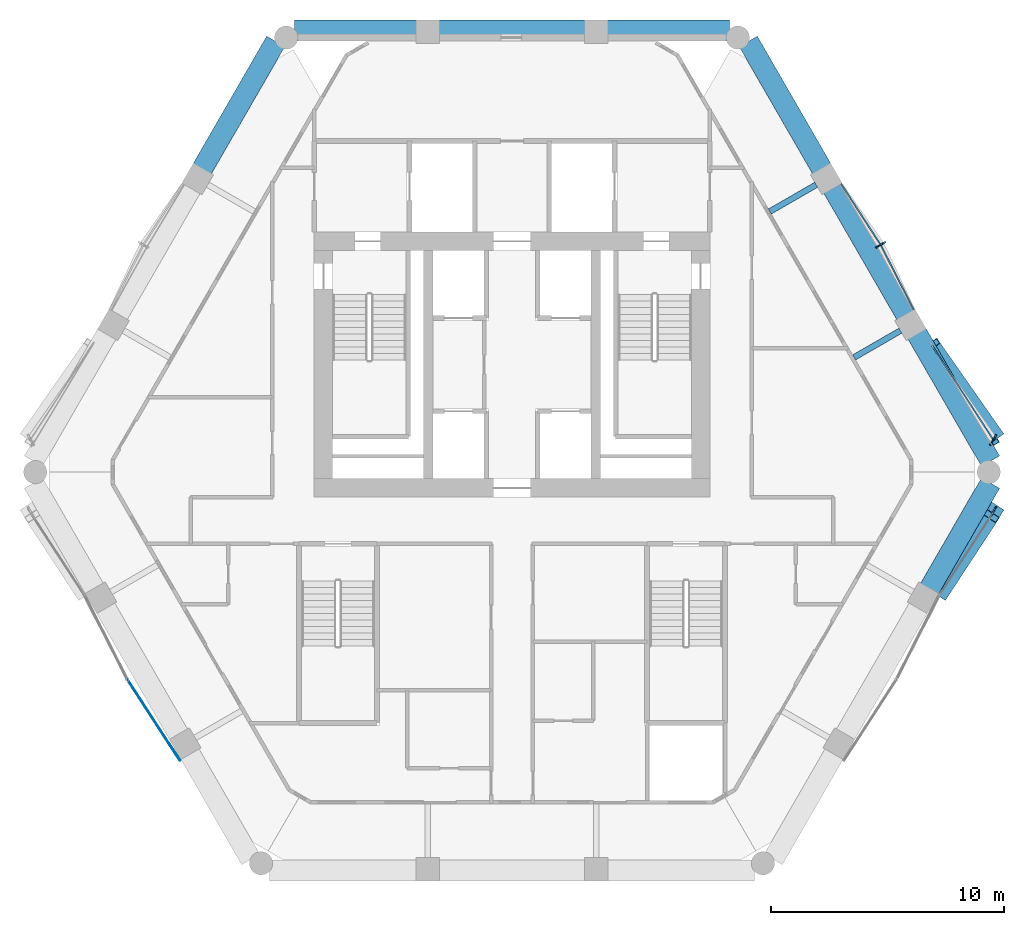
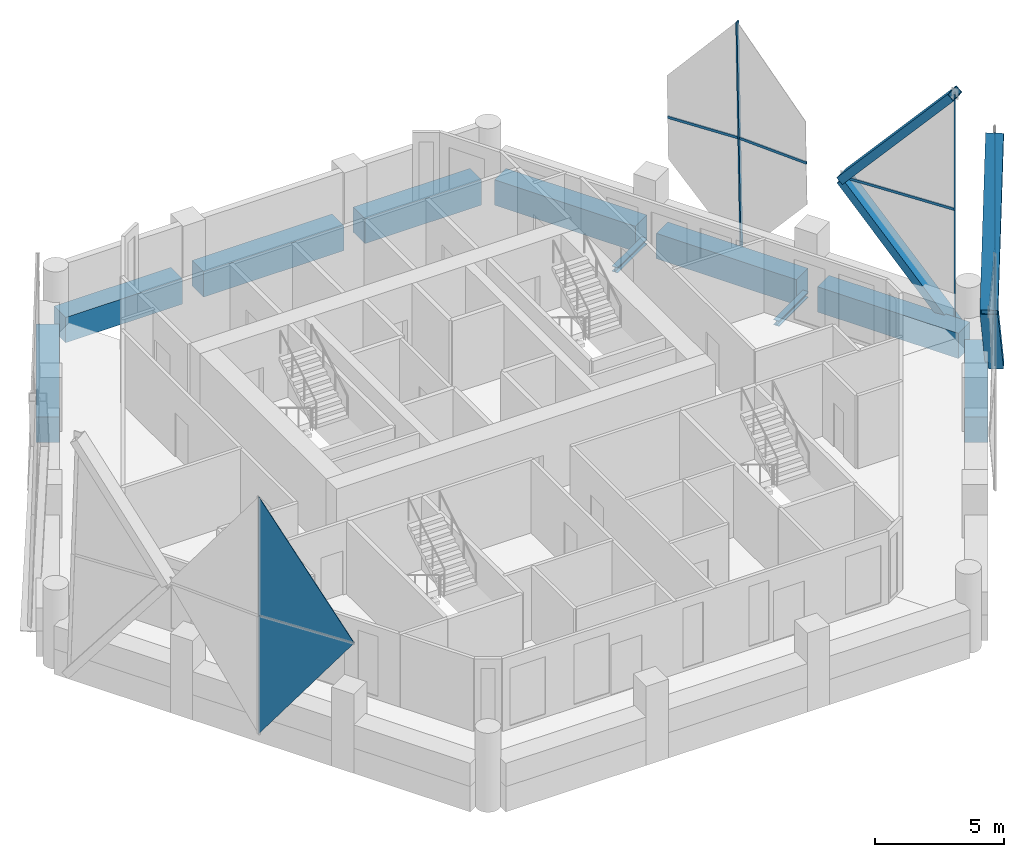
# One storey, part 5 of 13: 14 members, 10 beams, 2 plates, 6 elements without a shape of their own.
"""IFC4 building model written with IfcOpenShell, lengths in metres."""

from ifc_helpers import new_model, si_unit, direction, frame, origin, origin_2d, place, context, subcontext, project, spatial, polyline, rectangle, hollow_rectangle, i_section, outline, extrude, material, layer, layer_set, material_profile, profile_set, type_object, element, aggregate, save


model = new_model("IFC4")

# Units and contexts
model_context = context("Model", 3, precision=1e-05, world=origin(), true_north=direction((0.0, 1.0)))
body_context = subcontext(model_context, "Body", "Model", "MODEL_VIEW")
ifc_project = project(units=[si_unit("LENGTHUNIT", "METRE"), si_unit("AREAUNIT", "SQUARE_METRE"), si_unit("VOLUMEUNIT", "CUBIC_METRE"), si_unit("PLANEANGLEUNIT", "RADIAN"), si_unit("MASSUNIT", "GRAM", prefix="KILO")], contexts=[model_context])

# Site, building, storey
site_placement = place(None, origin())
site = spatial("IfcSite", under=ifc_project, at=site_placement, CompositionType="ELEMENT")
building_placement = place(site_placement, origin())
building = spatial("IfcBuilding", under=site, at=building_placement, Name="Ostrander Bayou Hotel Tower", CompositionType="ELEMENT")
storey_placement = place(building_placement, frame((0.0, 0.0, 187.0)))
storey = spatial("IfcBuildingStorey", under=building, at=storey_placement, Name="L46", CompositionType="ELEMENT", Elevation=187.0)

# Curtain wall, members
ifc_material_1 = material(Name="Aluminium and clear glass", Category="aluminium")
curtain_wall_type = type_object("IfcCurtainWallType", Name="CW-LAT lattice glazing", PredefinedType="NOTDEFINED", material=ifc_material_1)
curtain_wall_1_placement = place(storey_placement, origin())
curtain_wall_1 = element("IfcCurtainWall", 1, at=curtain_wall_1_placement, inside=storey, type_object=curtain_wall_type, Name="CW-LAT L46 SE 1", PredefinedType="NOTDEFINED")
ifc_material_2 = material(Name="Aluminium", Category="aluminium")
ifc_material_profile_1 = material_profile(ifc_material_2, hollow_rectangle(XDim=0.06005859375, YDim=0.159912109375, WallThickness=0.00390625, at=origin_2d()))
ifc_profile_set_1 = profile_set([ifc_material_profile_1], Name="Aluminium")
member_type_1 = type_object("IfcMemberType", Name="CW-LA mullion 60 x 160 mm", PredefinedType="MULLION", material=ifc_profile_set_1)
member_1_placement = place(storey_placement, frame((20.765380859375, -2.17333984375, -0.60009765625), z_axis=(-0.01678741147, -0.029063477222, 0.999436589838), x_axis=(0.865927271564, -0.500169931485, 0.0)))
member_1 = element("IfcMember", 2, at=member_1_placement, type_object=member_type_1, Name="CW-LAT mullion 5", PredefinedType="MULLION", context=body_context, shape_type="SweptSolid", body=[
    extrude(hollow_rectangle(XDim=0.06005859375, YDim=0.159912109375, WallThickness=0.00390625, at=origin_2d()), origin(), (0.0, 0.0, 1.0), 5.628173828125),
])
member_2_placement = place(storey_placement, frame((20.6708984375, -2.3369140625, 5.02490234375), z_axis=(-0.01678739029, -0.029106818823, 0.999435328886), x_axis=(0.866250056381, -0.499610688256, 0.0)))
member_2 = element("IfcMember", 3, at=member_2_placement, type_object=member_type_1, Name="CW-LAT mullion 6", PredefinedType="MULLION", context=body_context, shape_type="SweptSolid", body=[
    extrude(hollow_rectangle(XDim=0.06005859375, YDim=0.159912109375, WallThickness=0.00390625, at=origin_2d()), origin(), (0.0, 0.0, 1.0), 5.628173828125),
])
aggregate(curtain_wall_1, [member_1, member_2])

curtain_wall_2_placement = place(storey_placement, origin())
curtain_wall_2 = element("IfcCurtainWall", 4, at=curtain_wall_2_placement, inside=storey, type_object=curtain_wall_type, Name="CW-LAT L46 NE 1", PredefinedType="NOTDEFINED")
member_3_placement = place(storey_placement, frame((20.765380859375, 0.9296875, -0.60009765625), z_axis=(-0.01678741147, -0.029063477222, 0.999436589838), x_axis=(0.865927271564, -0.500169931485, 0.0)))
member_3 = element("IfcMember", 5, at=member_3_placement, type_object=member_type_1, Name="CW-LAT mullion 1", PredefinedType="MULLION", context=body_context, shape_type="SweptSolid", body=[
    extrude(hollow_rectangle(XDim=0.06005859375, YDim=0.159912109375, WallThickness=0.00390625, at=origin_2d()), origin(), (0.0, 0.0, 1.0), 5.628173828125),
])
member_4_placement = place(storey_placement, frame((20.6708984375, 0.76611328125, 5.02490234375), z_axis=(-0.01678739029, -0.029106818823, 0.999435328886), x_axis=(0.866250056381, -0.499610688256, 0.0)))
member_4 = element("IfcMember", 6, at=member_4_placement, type_object=member_type_1, Name="CW-LAT mullion 2", PredefinedType="MULLION", context=body_context, shape_type="SweptSolid", body=[
    extrude(hollow_rectangle(XDim=0.06005859375, YDim=0.159912109375, WallThickness=0.00390625, at=origin_2d()), origin(), (0.0, 0.0, 1.0), 5.628173828125),
])
member_5_placement = place(storey_placement, frame((15.9765625, 9.22412109375, -0.60009765625), z_axis=(-0.025206321475, -0.014577149769, 0.999575984136), x_axis=(0.500625085174, -0.86566420978, 0.0)))
member_5 = element("IfcMember", 7, at=member_5_placement, type_object=member_type_1, Name="CW-LAT mullion 4", PredefinedType="MULLION", context=body_context, shape_type="SweptSolid", body=[
    extrude(hollow_rectangle(XDim=0.06005859375, YDim=0.159912109375, WallThickness=0.00390625, at=origin_2d()), origin(), (0.0, 0.0, 1.0), 5.62744140625),
])
member_6_placement = place(storey_placement, frame((15.834716796875, 9.14208984375, 5.02490234375), z_axis=(-0.025162980484, -0.014533790452, 0.999577707509), x_axis=(0.500153222552, -0.865936922628, 0.0)))
member_6 = element("IfcMember", 8, at=member_6_placement, type_object=member_type_1, Name="CW-LAT mullion 5", PredefinedType="MULLION", context=body_context, shape_type="SweptSolid", body=[
    extrude(hollow_rectangle(XDim=0.06005859375, YDim=0.159912109375, WallThickness=0.00390625, at=origin_2d()), origin(), (0.0, 0.0, 1.0), 5.62744140625),
])
aggregate(curtain_wall_2, [member_3, member_4, member_5, member_6])

# Curtain wall, member
curtain_wall_3_placement = place(storey_placement, origin())
curtain_wall_3 = element("IfcCurtainWall", 9, at=curtain_wall_3_placement, inside=storey, type_object=curtain_wall_type, Name="CW-LAT L46 SE 2", PredefinedType="NOTDEFINED")
ifc_material_3 = material(Name="Aluminium", Category="aluminium")
ifc_material_profile_2 = material_profile(ifc_material_3, hollow_rectangle(XDim=0.06005859375, YDim=0.1201171875, WallThickness=0.00390625, at=origin_2d()))
ifc_profile_set_2 = profile_set([ifc_material_profile_2], Name="Aluminium")
member_type_2 = type_object("IfcMemberType", Name="CW-LA transom 60 x 120 mm", PredefinedType="USERDEFINED", material=ifc_profile_set_2)
member_7_placement = place(storey_placement, frame((20.6708984375, -2.3369140625, 5.02490234375), z_axis=(-0.545610899145, -0.838038630812, 0.0), x_axis=(0.838038630812, -0.545610899145, 0.0)))
member_7 = element("IfcMember", 10, at=member_7_placement, type_object=member_type_2, Name="CW-LAT transom 7", ObjectType="TRANSOM", PredefinedType="USERDEFINED", context=body_context, shape_type="SweptSolid", body=[
    extrude(hollow_rectangle(XDim=0.06005859375, YDim=0.1201171875, WallThickness=0.00390625, at=origin_2d()), origin(), (0.0, 0.0, 1.0), 4.161865234375),
])
aggregate(curtain_wall_3, [member_7])

# Curtain wall, members
curtain_wall_4_placement = place(storey_placement, origin())
curtain_wall_4 = element("IfcCurtainWall", 11, at=curtain_wall_4_placement, inside=storey, type_object=curtain_wall_type, Name="CW-LAT L46 NE 2", PredefinedType="NOTDEFINED")
member_8_placement = place(storey_placement, frame((20.6708984375, 0.76611328125, 5.02490234375), z_axis=(-0.544243853201, 0.838927069687, 0.0), x_axis=(-0.838927069687, -0.544243853201, 0.0)))
member_8 = element("IfcMember", 12, at=member_8_placement, type_object=member_type_2, Name="CW-LAT transom 3", ObjectType="TRANSOM", PredefinedType="USERDEFINED", context=body_context, shape_type="SweptSolid", body=[
    extrude(hollow_rectangle(XDim=0.06005859375, YDim=0.1201171875, WallThickness=0.00390625, at=origin_2d()), origin(), (0.0, 0.0, 1.0), 4.842529296875),
])
member_9_placement = place(storey_placement, frame((15.834716796875, 9.14208984375, 5.02490234375), z_axis=(0.454486802988, -0.890753470894, 0.0), x_axis=(0.890753470894, 0.454486802988, 0.0)))
member_9 = element("IfcMember", 13, at=member_9_placement, type_object=member_type_2, Name="CW-LAT transom 6", ObjectType="TRANSOM", PredefinedType="USERDEFINED", context=body_context, shape_type="SweptSolid", body=[
    extrude(hollow_rectangle(XDim=0.06005859375, YDim=0.1201171875, WallThickness=0.00390625, at=origin_2d()), origin(), (0.0, 0.0, 1.0), 3.1220703125),
])
member_10_placement = place(storey_placement, frame((15.834716796875, 9.14208984375, 5.02490234375), z_axis=(-0.544136068225, 0.838996984057, 0.0), x_axis=(-0.838996984057, -0.544136068225, 0.0)))
member_10 = element("IfcMember", 14, at=member_10_placement, type_object=member_type_2, Name="CW-LAT transom 7", ObjectType="TRANSOM", PredefinedType="USERDEFINED", context=body_context, shape_type="SweptSolid", body=[
    extrude(hollow_rectangle(XDim=0.06005859375, YDim=0.1201171875, WallThickness=0.00390625, at=origin_2d()), origin(), (0.0, 0.0, 1.0), 3.122314453125),
])
aggregate(curtain_wall_4, [member_8, member_9, member_10])

# Beams
ifc_material_4 = material(Name="Steel ASTM A992", Category="steel")
ifc_material_profile_3 = material_profile(ifc_material_4, i_section(OverallWidth=0.25390625, OverallDepth=0.25341796875, WebThickness=0.008544921875, FlangeThickness=0.01416015625, at=origin_2d()))
ifc_profile_set_3 = profile_set([ifc_material_profile_3], Name="Steel ASTM A992")
beam_type_1 = type_object("IfcBeamType", Name="LB2 loggia bracket W10x49", PredefinedType="BEAM", material=ifc_profile_set_3)
for number, where, z_axis, x_axis, name in (
    (15, (16.685791015625, 5.455810546875, -0.4267578125), (-0.866007057882, -0.500031774688, 0.0), (0.500031774688, -0.866007057882, 0.0), "LB2 L46 NE1"),
    (16, (13.067626953125, 11.722412109375, -0.4267578125), (-0.866053019151, -0.499952165731, 0.0), (0.499952165731, -0.866053019151, 0.0), "LB2 L46 NE2"),
):
    element("IfcBeam", number, at=place(storey_placement, frame(where, z_axis=z_axis, x_axis=x_axis)), inside=storey, type_object=beam_type_1, Name=name, PredefinedType="BEAM", context=body_context, shape_type="SweptSolid", body=[
        extrude(i_section(OverallWidth=0.25390625, OverallDepth=0.25341796875, WebThickness=0.008544921875, FlangeThickness=0.01416015625, at=origin_2d()), origin(), (0.0, 0.0, 1.0), 2.300048828125),
    ])

# Members
ifc_material_5 = material(Name="Steel ASTM A572 Gr 50", Category="steel")
ifc_material_profile_4 = material_profile(ifc_material_5, hollow_rectangle(XDim=0.699951171875, YDim=0.35009765625, WallThickness=0.02490234375, at=origin_2d()))
ifc_profile_set_4 = profile_set([ifc_material_profile_4], Name="Steel ASTM A572 Gr 50")
member_type_3 = type_object("IfcMemberType", Name="LT1 lattice member box 700 x 350 x 25 mm", PredefinedType="BRACE", material=ifc_profile_set_4)
member_11_placement = place(storey_placement, frame((18.400146484375, -5.82470703125, 5.02490234375), z_axis=(0.332612597638, 0.513475847469, -0.791019224772), x_axis=(-0.839299044374, 0.543670041582, 0.0)))
element("IfcMember", 17, at=member_11_placement, inside=storey, type_object=member_type_3, Name="LT1 L46 SE 1", PredefinedType="BRACE", context=body_context, shape_type="SweptSolid", body=[
    extrude(hollow_rectangle(XDim=0.699951171875, YDim=0.35009765625, WallThickness=0.02490234375, at=origin_2d()), origin(), (0.0, 0.0, 1.0), 7.111083984375),
])
member_12_placement = place(storey_placement, frame((18.400146484375, -5.82470703125, 5.02490234375), z_axis=(0.316014019946, 0.482671178098, 0.816800877222), x_axis=(-0.836634955829, 0.547760851727, 0.0)))
element("IfcMember", 18, at=member_12_placement, inside=storey, type_object=member_type_3, Name="LT1 L46 SE 2", PredefinedType="BRACE", context=body_context, shape_type="SweptSolid", body=[
    extrude(hollow_rectangle(XDim=0.699951171875, YDim=0.35009765625, WallThickness=0.02490234375, at=origin_2d()), origin(), (0.0, 0.0, 1.0), 6.88671875),
])
member_13_placement = place(storey_placement, frame((18.035400390625, 4.82861328125, 5.02490234375), z_axis=(0.370492532398, -0.52913304797, -0.763382932075), x_axis=(0.819159620943, 0.573565615616, 0.0)))
element("IfcMember", 19, at=member_13_placement, inside=storey, type_object=member_type_3, Name="LT1 L46 NE 1", PredefinedType="BRACE", context=body_context, shape_type="SweptSolid", body=[
    extrude(hollow_rectangle(XDim=0.699951171875, YDim=0.35009765625, WallThickness=0.02490234375, at=origin_2d()), origin(), (0.0, 0.0, 1.0), 7.368408203125),
])
member_14_placement = place(storey_placement, frame((18.035400390625, 4.82861328125, 5.02490234375), z_axis=(0.339681404235, -0.564971636118, 0.751946536662), x_axis=(0.857025162355, 0.515274558939, 0.0)))
element("IfcMember", 20, at=member_14_placement, inside=storey, type_object=member_type_3, Name="LT1 L46 NE 2", PredefinedType="BRACE", context=body_context, shape_type="SweptSolid", body=[
    extrude(hollow_rectangle(XDim=0.699951171875, YDim=0.35009765625, WallThickness=0.02490234375, at=origin_2d()), origin(), (0.0, 0.0, 1.0), 7.48046875),
])

# Beams
ifc_material_6 = material(Name="Concrete f'c 60 MPa", Category="concrete")
ifc_material_profile_5 = material_profile(ifc_material_6, rectangle(XDim=0.89990234375, YDim=1.199951171875, at=origin_2d()))
ifc_profile_set_5 = profile_set([ifc_material_profile_5], Name="Concrete f'c 60 MPa")
beam_type_2 = type_object("IfcBeamType", Name="SP3 spandrel beam 900 x 1200 mm f'c 60 MPa", PredefinedType="SPANDREL", material=ifc_profile_set_5)
beam_1_placement = place(storey_placement, frame((9.333984375, 18.35009765625, -0.60009765625), z_axis=(-1.0, 0.0, 0.0), x_axis=(0.0, -1.0, 0.0)))
element("IfcBeam", 21, at=beam_1_placement, inside=storey, type_object=beam_type_2, Name="SP3 L46 N-1", PredefinedType="SPANDREL", context=body_context, shape_type="SweptSolid", body=[
    extrude(rectangle(XDim=0.89990234375, YDim=1.199951171875, at=origin_2d()), origin(), (0.0, 0.0, 1.0), 5.245849609375),
])
beam_2_placement = place(storey_placement, frame((3.148193359375, 18.35009765625, -0.60009765625), z_axis=(-1.0, 0.0, 0.0), x_axis=(0.0, -1.0, 0.0)))
element("IfcBeam", 22, at=beam_2_placement, inside=storey, type_object=beam_type_2, Name="SP3 L46 N-2", PredefinedType="SPANDREL", context=body_context, shape_type="SweptSolid", body=[
    extrude(rectangle(XDim=0.89990234375, YDim=1.199951171875, at=origin_2d()), origin(), (0.0, 0.0, 1.0), 6.29638671875),
])
beam_3_placement = place(storey_placement, frame((-4.088134765625, 18.35009765625, -0.60009765625), z_axis=(-1.0, 0.0, 0.0), x_axis=(0.0, -1.0, 0.0)))
element("IfcBeam", 23, at=beam_3_placement, inside=storey, type_object=beam_type_2, Name="SP3 L46 N-3", PredefinedType="SPANDREL", context=body_context, shape_type="SweptSolid", body=[
    extrude(rectangle(XDim=0.89990234375, YDim=1.199951171875, at=origin_2d()), origin(), (0.0, 0.0, 1.0), 5.245849609375),
])
beam_4_placement = place(storey_placement, frame((-10.1474609375, 17.88037109375, -0.60009765625), z_axis=(-0.500000968981, -0.866024844342, 0.0), x_axis=(0.866024844342, -0.500000968981, 0.0)))
element("IfcBeam", 24, at=beam_4_placement, inside=storey, type_object=beam_type_2, Name="SP3 L46 NW-1", PredefinedType="SPANDREL", context=body_context, shape_type="SweptSolid", body=[
    extrude(rectangle(XDim=0.89990234375, YDim=1.199951171875, at=origin_2d()), origin(), (0.0, 0.0, 1.0), 6.3232421875),
])
beam_5_placement = place(storey_placement, frame((17.935546875, -5.634521484375, -0.60009765625), z_axis=(0.500023253097, 0.866011978186, 0.0), x_axis=(-0.866011978186, 0.500023253097, 0.0)))
element("IfcBeam", 25, at=beam_5_placement, inside=storey, type_object=beam_type_2, Name="SP3 L46 SE-3", PredefinedType="SPANDREL", context=body_context, shape_type="SweptSolid", body=[
    extrude(rectangle(XDim=0.89990234375, YDim=1.199951171875, at=origin_2d()), origin(), (0.0, 0.0, 1.0), 5.245849609375),
])
beam_6_placement = place(storey_placement, frame((20.55859375, -0.152099609375, -0.60009765625), z_axis=(-0.500017688138, 0.866015191293, 0.0), x_axis=(-0.866015191293, -0.500017688138, 0.0)))
element("IfcBeam", 26, at=beam_6_placement, inside=storey, type_object=beam_type_2, Name="SP3 L46 NE-1", PredefinedType="SPANDREL", context=body_context, shape_type="SweptSolid", body=[
    extrude(rectangle(XDim=0.89990234375, YDim=1.199951171875, at=origin_2d()), origin(), (0.0, 0.0, 1.0), 6.322998046875),
])
beam_7_placement = place(storey_placement, frame((16.927001953125, 6.1376953125, -0.60009765625), z_axis=(-0.499984268907, 0.866034485945, 0.0), x_axis=(-0.866034485945, -0.499984268907, 0.0)))
element("IfcBeam", 27, at=beam_7_placement, inside=storey, type_object=beam_type_2, Name="SP3 L46 NE-2", PredefinedType="SPANDREL", context=body_context, shape_type="SweptSolid", body=[
    extrude(rectangle(XDim=0.89990234375, YDim=1.199951171875, at=origin_2d()), origin(), (0.0, 0.0, 1.0), 6.296142578125),
])
beam_8_placement = place(storey_placement, frame((13.30908203125, 12.404296875, -0.60009765625), z_axis=(-0.500000968981, 0.866024844342, 0.0), x_axis=(-0.866024844342, -0.500000968981, 0.0)))
element("IfcBeam", 28, at=beam_8_placement, inside=storey, type_object=beam_type_2, Name="SP3 L46 NE-3", PredefinedType="SPANDREL", context=body_context, shape_type="SweptSolid", body=[
    extrude(rectangle(XDim=0.89990234375, YDim=1.199951171875, at=origin_2d()), origin(), (0.0, 0.0, 1.0), 6.3232421875),
])

# Curtain wall, plate
curtain_wall_5_placement = place(storey_placement, origin())
curtain_wall_5 = element("IfcCurtainWall", 29, at=curtain_wall_5_placement, inside=storey, type_object=curtain_wall_type, Name="CW-LAT L46 SW 3", PredefinedType="NOTDEFINED")
ifc_material_7 = material(Name="Clear laminated glass", Category="glass")
ifc_layer = layer(ifc_material_7, 0.028076171875)
ifc_layer_set = layer_set([ifc_layer], Name="CW-LA glazing panel 28 mm")
plate_type = type_object("IfcPlateType", Name="CW-LA glazing panel 28 mm", PredefinedType="CURTAIN_PANEL", material=ifc_layer_set)
plate_1_placement = place(storey_placement, frame((-14.244384765625, -13.022705078125, 5.02490234375), z_axis=(0.838038630812, 0.545610899145, 0.0), x_axis=(-0.324520190072, 0.49845128861, -0.803886160547)))
plate_1 = element("IfcPlate", 30, at=plate_1_placement, type_object=plate_type, Name="CW-LAT panel 5", PredefinedType="CURTAIN_PANEL", context=body_context, shape_type="SweptSolid", body=[
    extrude(outline(polyline([(0.0, 0.0), (6.997259408188533, 4.440892098500626e-16), (2.475399755111701, 3.3456554332261823), (0.0, 0.0)])), origin(), (0.0, 0.0, -1.0), 0.028076171875),
])
aggregate(curtain_wall_5, [plate_1])

curtain_wall_6_placement = place(storey_placement, origin())
curtain_wall_6 = element("IfcCurtainWall", 31, at=curtain_wall_6_placement, inside=storey, type_object=curtain_wall_type, Name="CW-LAT L46 SW 4", PredefinedType="NOTDEFINED")
plate_2_placement = place(storey_placement, frame((-14.244384765625, -13.022705078125, 5.02490234375), z_axis=(-0.838038630812, -0.545610899145, 0.0), x_axis=(-0.324520190072, 0.49845128861, 0.803886160547)))
plate_2 = element("IfcPlate", 32, at=plate_2_placement, type_object=plate_type, Name="CW-LAT panel 6", PredefinedType="CURTAIN_PANEL", context=body_context, shape_type="SweptSolid", body=[
    extrude(outline(polyline([(0.0, 0.0), (6.997259408188533, 4.440892098500626e-16), (2.475399755111701, 3.3456554332261823), (0.0, 0.0)])), origin(), (0.0, 0.0, -1.0), 0.028076171875),
])
aggregate(curtain_wall_6, [plate_2])

save(model, "model.ifc")
